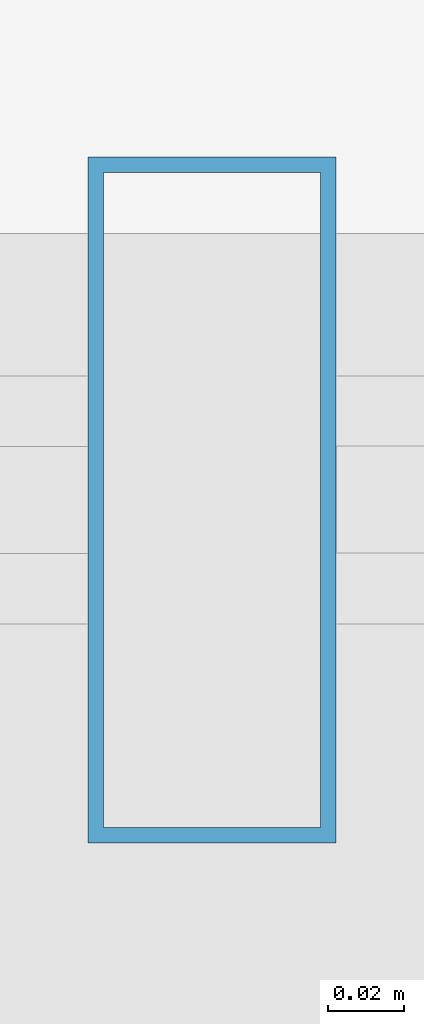
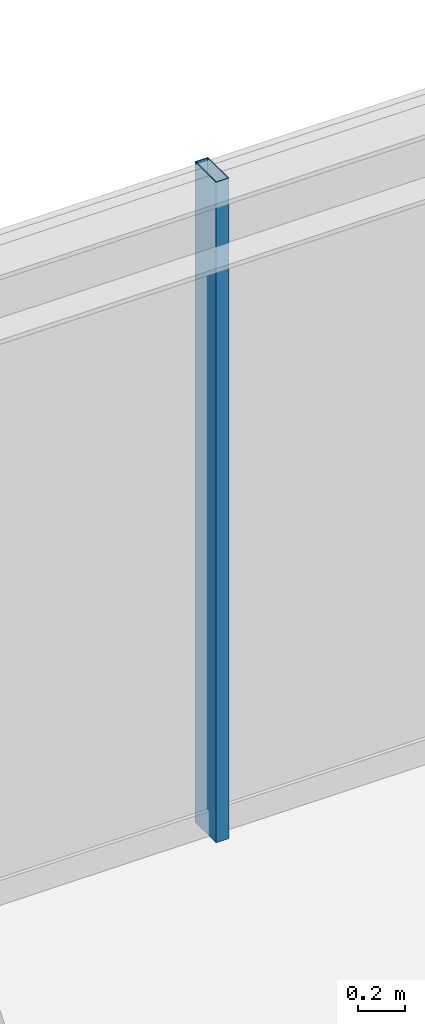
# One storey, part 20 of 32: 1 member, 1 element without a shape of its own.
"""IFC4 building model written with IfcOpenShell, lengths in metres."""

from ifc_helpers import new_model, si_unit, direction, frame, origin, origin_2d, place, context, subcontext, project, spatial, hollow_rectangle, extrude, source, transform, mapped, material, material_profile, profile_set, type_object, element, aggregate, save


model = new_model("IFC4")

# Units and contexts
model_context = context("Model", 3, precision=1e-05, world=origin(), true_north=direction((0.0, 1.0)))
body_context = subcontext(model_context, "Body", "Model", "MODEL_VIEW")
ifc_project = project(units=[si_unit("LENGTHUNIT", "METRE"), si_unit("AREAUNIT", "SQUARE_METRE"), si_unit("VOLUMEUNIT", "CUBIC_METRE"), si_unit("PLANEANGLEUNIT", "RADIAN"), si_unit("MASSUNIT", "GRAM", prefix="KILO")], contexts=[model_context])

# Site, building, storey
site_placement = place(None, origin())
site = spatial("IfcSite", under=ifc_project, at=site_placement, CompositionType="ELEMENT")
building_placement = place(site_placement, origin())
building = spatial("IfcBuilding", under=site, at=building_placement, Name="Nahalor Promenade Grand Hotel", CompositionType="ELEMENT")
storey_placement = place(building_placement, frame((0.0, 0.0, 266.300048828125)))
storey = spatial("IfcBuildingStorey", under=building, at=storey_placement, Name="L68", CompositionType="ELEMENT", Elevation=266.300048828125)

# Curtain wall, member
ifc_material = material(Name="Anodised Bronze Aluminium EN AW-6063 T6", Category="aluminium")
curtain_wall_type = type_object("IfcCurtainWallType", Name="CW2 Typical Hotel Flush Bronze Unitised Curtain Wall", PredefinedType="USERDEFINED", material=ifc_material)
curtain_wall_placement = place(storey_placement, origin())
curtain_wall = element("IfcCurtainWall", 1, at=curtain_wall_placement, inside=storey, type_object=curtain_wall_type, Name="L68 Curtain Wall CW-L68-N-3", ObjectType="UNITISED_CURTAIN_WALL", PredefinedType="USERDEFINED")
ifc_material_profile = material_profile(ifc_material, hollow_rectangle(XDim=0.065, YDim=0.18, WallThickness=0.004, at=origin_2d()), Name="CWM 65x180x4")
ifc_profile_set = profile_set([ifc_material_profile], Name="Anodised Bronze Aluminium EN AW-6063 T6")
member_type = type_object("IfcMemberType", Name="CWM2 Typical Bronze Mullion 65x180", PredefinedType="MULLION", material=ifc_profile_set)
shared_shape = source(origin(), body_context, "Body", "SweptSolid", [
    extrude(hollow_rectangle(XDim=0.065, YDim=0.18, WallThickness=0.004, at=origin_2d()), origin(), (0.0, 0.0, 1.0), 3.449951171875),
])
member_placement = place(storey_placement, frame((5.679931640625, 22.56005859375, 0.0), z_axis=(0.0, 0.0, 1.0), x_axis=(1.0, 0.0, 0.0)))
member = element("IfcMember", 2, at=member_placement, type_object=member_type, Name="CW-L68-N-3 Mullion 1", PredefinedType="MULLION", context=body_context, shape_type="MappedRepresentation", body=[
    mapped(shared_shape, transform((0.0, 0.0, 0.0), scale=1.0)),
])
aggregate(curtain_wall, [member])

save(model, "model.ifc")
